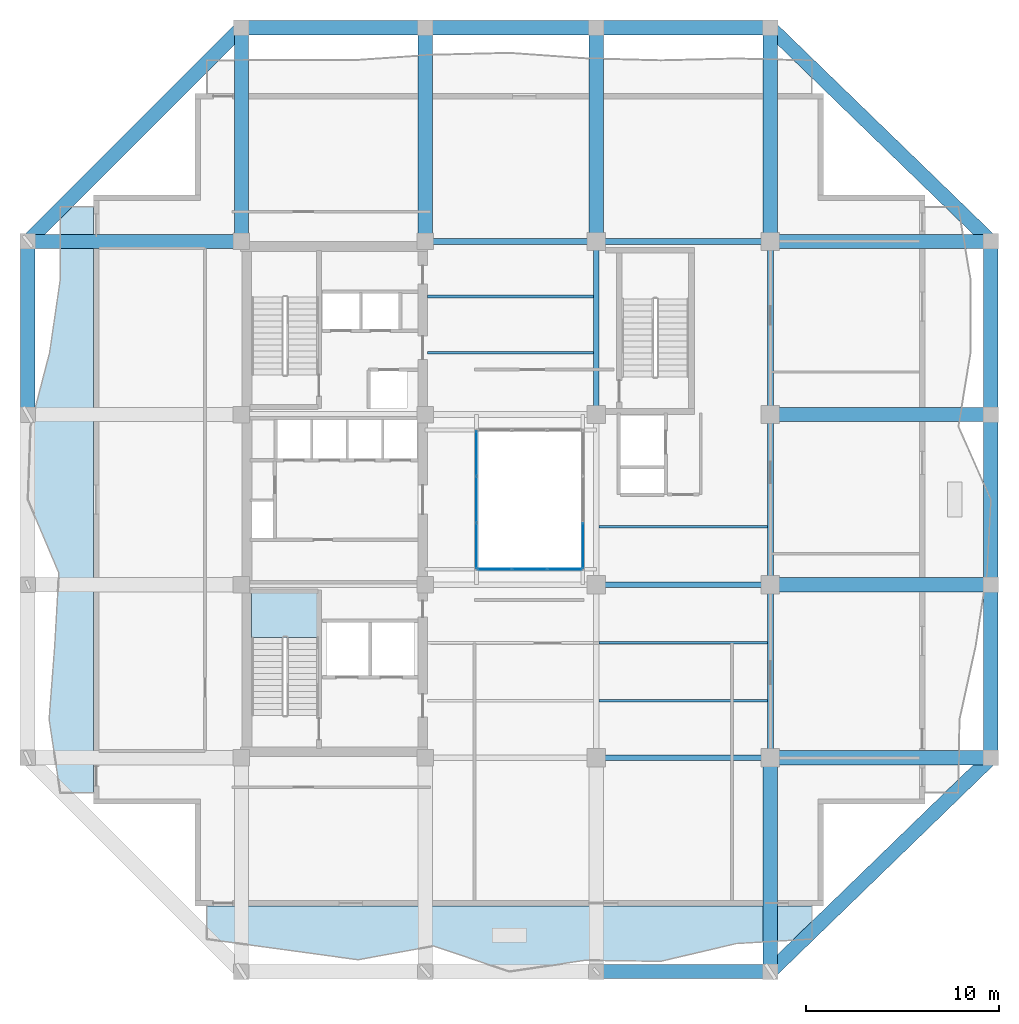
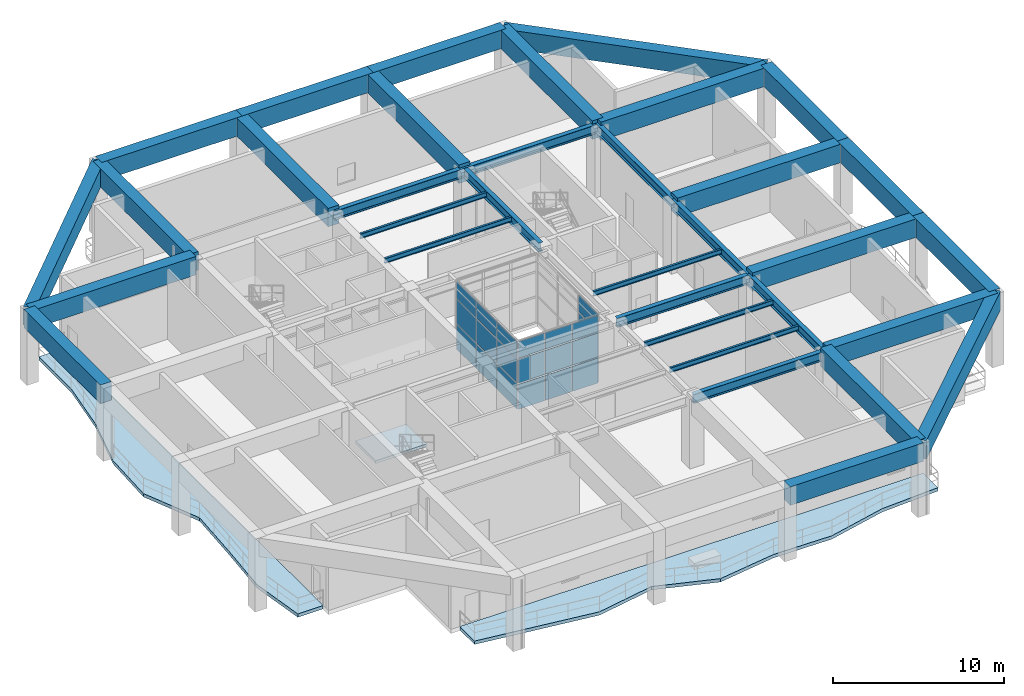
# One storey, part 4 of 13: 34 beams, 21 plates, 3 slabs, 4 elements without a shape of their own.
"""IFC4 building model written with IfcOpenShell, lengths in metres."""

from ifc_helpers import new_model, si_unit, direction, frame, origin, origin_2d, place, context, subcontext, project, spatial, polyline, rectangle, i_section, outline, extrude, material, layer, layer_set, material_profile, profile_set, type_object, element, aggregate, save


model = new_model("IFC4")

# Units and contexts
model_context = context("Model", 3, precision=1e-05, world=origin(), true_north=direction((0.0, 1.0)))
body_context = subcontext(model_context, "Body", "Model", "MODEL_VIEW")
ifc_project = project(units=[si_unit("LENGTHUNIT", "METRE"), si_unit("AREAUNIT", "SQUARE_METRE"), si_unit("VOLUMEUNIT", "CUBIC_METRE"), si_unit("PLANEANGLEUNIT", "RADIAN"), si_unit("MASSUNIT", "GRAM", prefix="KILO")], contexts=[model_context])

# Site, building, storey
site_placement = place(None, origin())
site = spatial("IfcSite", under=ifc_project, at=site_placement, CompositionType="ELEMENT")
building_placement = place(site_placement, origin())
building = spatial("IfcBuilding", under=site, at=building_placement, Name="Kundavana Baori Tower", CompositionType="ELEMENT")
storey_placement = place(building_placement, frame((0.0, 0.0, 208.89990234375)))
storey = spatial("IfcBuildingStorey", under=building, at=storey_placement, Name="L51", CompositionType="ELEMENT", Elevation=208.89990234375)

# Beams
ifc_material_1 = material(Name="Structural Steel S355JR", Category="steel")
ifc_material_profile_1 = material_profile(ifc_material_1, i_section(OverallWidth=0.139892578125, OverallDepth=0.35009765625, WebThickness=0.008056640625, FlangeThickness=0.01416015625, FilletRadius=0.013916015625, at=origin_2d()), Name="ISMB 350")
ifc_profile_set_1 = profile_set([ifc_material_profile_1], Name="Structural Steel S355JR")
beam_type_1 = type_object("IfcBeamType", Name="BM-JST-350", PredefinedType="JOIST", material=ifc_profile_set_1)
for number, where, z_axis, x_axis, name in (
    (1, (25.080078125, 36.199951171875, 4.78515625), (1.0, 0.0, 0.0), (0.0, 1.0, 0.0), "L51 Central Bay Composite Floor Joist C3"),
    (2, (25.080078125, 39.10009765625, 4.78515625), (1.0, 0.0, 0.0), (0.0, 1.0, 0.0), "L51 Central Bay Composite Floor Joist C4"),
):
    element("IfcBeam", number, at=place(storey_placement, frame(where, z_axis=z_axis, x_axis=x_axis)), inside=storey, type_object=beam_type_1, Name=name, PredefinedType="JOIST", context=body_context, shape_type="SweptSolid", body=[
        extrude(i_section(OverallWidth=0.139892578125, OverallDepth=0.35009765625, WebThickness=0.008056640625, FlangeThickness=0.01416015625, FilletRadius=0.013916015625, at=origin_2d()), origin(), (0.0, 0.0, 1.0), 8.56982421875),
    ])
for number, where, z_axis, x_axis, name in (
    (3, (33.949951171875, 18.199951171875, 4.78515625), (1.0, 0.0, 0.0), (0.0, 1.0, 0.0), "L51 East Bay Composite Floor Joist E1"),
    (4, (33.949951171875, 21.199951171875, 4.78515625), (1.0, 0.0, 0.0), (0.0, 1.0, 0.0), "L51 East Bay Composite Floor Joist E2"),
    (5, (33.949951171875, 27.199951171875, 4.78515625), (1.0, 0.0, 0.0), (0.0, 1.0, 0.0), "L51 East Bay Composite Floor Joist E3"),
):
    element("IfcBeam", number, at=place(storey_placement, frame(where, z_axis=z_axis, x_axis=x_axis)), inside=storey, type_object=beam_type_1, Name=name, PredefinedType="JOIST", context=body_context, shape_type="SweptSolid", body=[
        extrude(i_section(OverallWidth=0.139892578125, OverallDepth=0.35009765625, WebThickness=0.008056640625, FlangeThickness=0.01416015625, FilletRadius=0.013916015625, at=origin_2d()), origin(), (0.0, 0.0, 1.0), 8.699951171875),
    ])
ifc_material_2 = material(Name="Structural Steel S355JR", Category="steel")
ifc_material_profile_2 = material_profile(ifc_material_2, i_section(OverallWidth=0.300048828125, OverallDepth=0.64990234375, WebThickness=0.013427734375, FlangeThickness=0.02197265625, FilletRadius=0.02392578125, at=origin_2d()), Name="NPB 650x300x155")
ifc_profile_set_2 = profile_set([ifc_material_profile_2], Name="Structural Steel S355JR")
beam_type_2 = type_object("IfcBeamType", Name="BM-ST-650", PredefinedType="BEAM", material=ifc_profile_set_2)
for number, where, z_axis, x_axis, name in (
    (6, (33.800048828125, 15.25, 4.635009765625), (1.0, 0.0, 0.0), (0.0, 1.0, 0.0), "L51 Primary Grid Girder GX-1-3"),
    (7, (33.800048828125, 24.199951171875, 4.635009765625), (1.0, 0.0, 0.0), (0.0, 1.0, 0.0), "L51 Primary Grid Girder GX-2-3"),
):
    element("IfcBeam", number, at=place(storey_placement, frame(where, z_axis=z_axis, x_axis=x_axis)), inside=storey, type_object=beam_type_2, Name=name, PredefinedType="BEAM", context=body_context, shape_type="SweptSolid", body=[
        extrude(i_section(OverallWidth=0.300048828125, OverallDepth=0.64990234375, WebThickness=0.013427734375, FlangeThickness=0.02197265625, FilletRadius=0.02392578125, at=origin_2d()), origin(), (0.0, 0.0, 1.0), 9.0),
    ])
beam_1_placement = place(storey_placement, frame((24.949951171875, 41.949951171875, 4.635009765625), z_axis=(1.0, 0.0, 0.0), x_axis=(0.0, 1.0, 0.0)))
element("IfcBeam", 8, at=beam_1_placement, inside=storey, type_object=beam_type_2, Name="L51 Primary Grid Girder GX-4-2", PredefinedType="BEAM", context=body_context, shape_type="SweptSolid", body=[
    extrude(i_section(OverallWidth=0.300048828125, OverallDepth=0.64990234375, WebThickness=0.013427734375, FlangeThickness=0.02197265625, FilletRadius=0.02392578125, at=origin_2d()), origin(), (0.0, 0.0, 1.0), 8.85009765625),
])
beam_2_placement = place(storey_placement, frame((33.800048828125, 41.949951171875, 4.635009765625), z_axis=(1.0, 0.0, 0.0), x_axis=(0.0, 1.0, 0.0)))
element("IfcBeam", 9, at=beam_2_placement, inside=storey, type_object=beam_type_2, Name="L51 Primary Grid Girder GX-4-3", PredefinedType="BEAM", context=body_context, shape_type="SweptSolid", body=[
    extrude(i_section(OverallWidth=0.300048828125, OverallDepth=0.64990234375, WebThickness=0.013427734375, FlangeThickness=0.02197265625, FilletRadius=0.02392578125, at=origin_2d()), origin(), (0.0, 0.0, 1.0), 9.0),
])
for number, where, z_axis, x_axis, name in (
    (10, (33.800048828125, 33.0, 4.635009765625), (0.0, 1.0, 0.0), (-1.0, 0.0, 0.0), "L51 Primary Grid Girder GY-3-3"),
    (11, (42.800048828125, 15.25, 4.635009765625), (0.0, 1.0, 0.0), (-1.0, 0.0, 0.0), "L51 Primary Grid Girder GY-4-1"),
):
    element("IfcBeam", number, at=place(storey_placement, frame(where, z_axis=z_axis, x_axis=x_axis)), inside=storey, type_object=beam_type_2, Name=name, PredefinedType="BEAM", context=body_context, shape_type="SweptSolid", body=[
        extrude(i_section(OverallWidth=0.300048828125, OverallDepth=0.64990234375, WebThickness=0.013427734375, FlangeThickness=0.02197265625, FilletRadius=0.02392578125, at=origin_2d()), origin(), (0.0, 0.0, 1.0), 8.949951171875),
    ])
beam_3_placement = place(storey_placement, frame((42.800048828125, 24.199951171875, 4.635009765625), z_axis=(0.0, 1.0, 0.0), x_axis=(-1.0, 0.0, 0.0)))
element("IfcBeam", 12, at=beam_3_placement, inside=storey, type_object=beam_type_2, Name="L51 Primary Grid Girder GY-4-2", PredefinedType="BEAM", context=body_context, shape_type="SweptSolid", body=[
    extrude(i_section(OverallWidth=0.300048828125, OverallDepth=0.64990234375, WebThickness=0.013427734375, FlangeThickness=0.02197265625, FilletRadius=0.02392578125, at=origin_2d()), origin(), (0.0, 0.0, 1.0), 8.800048828125),
])
beam_4_placement = place(storey_placement, frame((42.800048828125, 33.0, 4.635009765625), z_axis=(0.0, 1.0, 0.0), x_axis=(-1.0, 0.0, 0.0)))
element("IfcBeam", 13, at=beam_4_placement, inside=storey, type_object=beam_type_2, Name="L51 Primary Grid Girder GY-4-3", PredefinedType="BEAM", context=body_context, shape_type="SweptSolid", body=[
    extrude(i_section(OverallWidth=0.300048828125, OverallDepth=0.64990234375, WebThickness=0.013427734375, FlangeThickness=0.02197265625, FilletRadius=0.02392578125, at=origin_2d()), origin(), (0.0, 0.0, 1.0), 8.949951171875),
])
ifc_material_3 = material(Name="Concrete C50/60", Category="concrete")
ifc_material_profile_3 = material_profile(ifc_material_3, rectangle(XDim=0.739990234375, YDim=1.320068359375, at=origin_2d()), Name="BM-TG-5")
ifc_profile_set_3 = profile_set([ifc_material_profile_3], Name="Concrete C50/60")
beam_type_3 = type_object("IfcBeamType", Name="BM-TG-5", PredefinedType="USERDEFINED", material=ifc_profile_set_3)
beam_5_placement = place(storey_placement, frame((33.800048828125, 4.199951171875, 4.5400390625), z_axis=(1.0, 0.0, 0.0), x_axis=(0.0, 1.0, 0.0)))
element("IfcBeam", 14, at=beam_5_placement, inside=storey, type_object=beam_type_3, Name="L51 Perimeter Frame Ring Beam S3", ObjectType="TRANSFER GIRDER", PredefinedType="USERDEFINED", context=body_context, shape_type="SweptSolid", body=[
    extrude(rectangle(XDim=0.739990234375, YDim=1.320068359375, at=origin_2d()), origin(), (0.0, 0.0, 1.0), 9.0),
])
beam_6_placement = place(storey_placement, frame((15.449951171875, 53.0, 4.5400390625), z_axis=(1.0, 0.0, 0.0), x_axis=(0.0, 1.0, 0.0)))
element("IfcBeam", 15, at=beam_6_placement, inside=storey, type_object=beam_type_3, Name="L51 Perimeter Frame Ring Beam N1", ObjectType="TRANSFER GIRDER", PredefinedType="USERDEFINED", context=body_context, shape_type="SweptSolid", body=[
    extrude(rectangle(XDim=0.739990234375, YDim=1.320068359375, at=origin_2d()), origin(), (0.0, 0.0, 1.0), 9.5),
])
beam_7_placement = place(storey_placement, frame((24.949951171875, 53.0, 4.5400390625), z_axis=(1.0, 0.0, 0.0), x_axis=(0.0, 1.0, 0.0)))
element("IfcBeam", 16, at=beam_7_placement, inside=storey, type_object=beam_type_3, Name="L51 Perimeter Frame Ring Beam N2", ObjectType="TRANSFER GIRDER", PredefinedType="USERDEFINED", context=body_context, shape_type="SweptSolid", body=[
    extrude(rectangle(XDim=0.739990234375, YDim=1.320068359375, at=origin_2d()), origin(), (0.0, 0.0, 1.0), 8.85009765625),
])
beam_8_placement = place(storey_placement, frame((33.800048828125, 53.0, 4.5400390625), z_axis=(1.0, 0.0, 0.0), x_axis=(0.0, 1.0, 0.0)))
element("IfcBeam", 17, at=beam_8_placement, inside=storey, type_object=beam_type_3, Name="L51 Perimeter Frame Ring Beam N3", ObjectType="TRANSFER GIRDER", PredefinedType="USERDEFINED", context=body_context, shape_type="SweptSolid", body=[
    extrude(rectangle(XDim=0.739990234375, YDim=1.320068359375, at=origin_2d()), origin(), (0.0, 0.0, 1.0), 9.0),
])
for number, where, z_axis, x_axis, name in (
    (18, (4.39990234375, 33.0, 4.5400390625), (0.0, 1.0, 0.0), (-1.0, 0.0, 0.0), "L51 Perimeter Frame Ring Beam W3"),
    (19, (54.199951171875, 15.25, 4.5400390625), (0.0, 1.0, 0.0), (-1.0, 0.0, 0.0), "L51 Perimeter Frame Ring Beam E1"),
):
    element("IfcBeam", number, at=place(storey_placement, frame(where, z_axis=z_axis, x_axis=x_axis)), inside=storey, type_object=beam_type_3, Name=name, ObjectType="TRANSFER GIRDER", PredefinedType="USERDEFINED", context=body_context, shape_type="SweptSolid", body=[
        extrude(rectangle(XDim=0.739990234375, YDim=1.320068359375, at=origin_2d()), origin(), (0.0, 0.0, 1.0), 8.949951171875),
    ])
beam_9_placement = place(storey_placement, frame((54.199951171875, 24.199951171875, 4.5400390625), z_axis=(0.0, 1.0, 0.0), x_axis=(-1.0, 0.0, 0.0)))
element("IfcBeam", 20, at=beam_9_placement, inside=storey, type_object=beam_type_3, Name="L51 Perimeter Frame Ring Beam E2", ObjectType="TRANSFER GIRDER", PredefinedType="USERDEFINED", context=body_context, shape_type="SweptSolid", body=[
    extrude(rectangle(XDim=0.739990234375, YDim=1.320068359375, at=origin_2d()), origin(), (0.0, 0.0, 1.0), 8.800048828125),
])
beam_10_placement = place(storey_placement, frame((54.199951171875, 33.0, 4.5400390625), z_axis=(0.0, 1.0, 0.0), x_axis=(-1.0, 0.0, 0.0)))
element("IfcBeam", 21, at=beam_10_placement, inside=storey, type_object=beam_type_3, Name="L51 Perimeter Frame Ring Beam E3", ObjectType="TRANSFER GIRDER", PredefinedType="USERDEFINED", context=body_context, shape_type="SweptSolid", body=[
    extrude(rectangle(XDim=0.739990234375, YDim=1.320068359375, at=origin_2d()), origin(), (0.0, 0.0, 1.0), 8.949951171875),
])
beam_11_placement = place(storey_placement, frame((42.800048828125, 4.199951171875, 4.5400390625), z_axis=(0.718038944492, 0.696002926857, 0.0), x_axis=(-0.696002926857, 0.718038944492, 0.0)))
element("IfcBeam", 22, at=beam_11_placement, inside=storey, type_object=beam_type_3, Name="L51 Notched Corner Perimeter Beam SE", ObjectType="TRANSFER GIRDER", PredefinedType="USERDEFINED", context=body_context, shape_type="SweptSolid", body=[
    extrude(rectangle(XDim=0.739990234375, YDim=1.320068359375, at=origin_2d()), origin(), (0.0, 0.0, 1.0), 15.87646484375),
])
beam_12_placement = place(storey_placement, frame((15.449951171875, 53.0, 4.5400390625), z_axis=(-0.707106781187, -0.707106781187, 0.0), x_axis=(0.707106781187, -0.707106781187, 0.0)))
element("IfcBeam", 23, at=beam_12_placement, inside=storey, type_object=beam_type_3, Name="L51 Notched Corner Perimeter Beam NW", ObjectType="TRANSFER GIRDER", PredefinedType="USERDEFINED", context=body_context, shape_type="SweptSolid", body=[
    extrude(rectangle(XDim=0.739990234375, YDim=1.320068359375, at=origin_2d()), origin(), (0.0, 0.0, 1.0), 15.627197265625),
])
beam_13_placement = place(storey_placement, frame((42.800048828125, 53.0, 4.5400390625), z_axis=(0.718038944492, -0.696002926857, 0.0), x_axis=(0.696002926857, 0.718038944492, 0.0)))
element("IfcBeam", 24, at=beam_13_placement, inside=storey, type_object=beam_type_3, Name="L51 Notched Corner Perimeter Beam NE", ObjectType="TRANSFER GIRDER", PredefinedType="USERDEFINED", context=body_context, shape_type="SweptSolid", body=[
    extrude(rectangle(XDim=0.739990234375, YDim=1.320068359375, at=origin_2d()), origin(), (0.0, 0.0, 1.0), 15.87646484375),
])
for number, where, z_axis, x_axis, name in (
    (25, (15.449951171875, 41.949951171875, 4.5400390625), (0.0, 1.0, 0.0), (-1.0, 0.0, 0.0), "L51 North Radial Transfer Girder N1"),
    (26, (24.949951171875, 41.949951171875, 4.5400390625), (0.0, 1.0, 0.0), (-1.0, 0.0, 0.0), "L51 North Radial Transfer Girder N2"),
    (27, (33.800048828125, 41.949951171875, 4.5400390625), (0.0, 1.0, 0.0), (-1.0, 0.0, 0.0), "L51 North Radial Transfer Girder N3"),
    (28, (42.800048828125, 15.25, 4.5400390625), (0.0, -1.0, 0.0), (1.0, 0.0, 0.0), "L51 South Radial Transfer Girder S4"),
    (29, (42.800048828125, 41.949951171875, 4.5400390625), (0.0, 1.0, 0.0), (-1.0, 0.0, 0.0), "L51 North Radial Transfer Girder N4"),
):
    element("IfcBeam", number, at=place(storey_placement, frame(where, z_axis=z_axis, x_axis=x_axis)), inside=storey, type_object=beam_type_3, Name=name, ObjectType="TRANSFER GIRDER", PredefinedType="USERDEFINED", context=body_context, shape_type="SweptSolid", body=[
        extrude(rectangle(XDim=0.739990234375, YDim=1.320068359375, at=origin_2d()), origin(), (0.0, 0.0, 1.0), 11.050048828125),
    ])
for number, where, z_axis, x_axis, name in (
    (30, (42.800048828125, 15.25, 4.5400390625), (1.0, 0.0, 0.0), (0.0, 1.0, 0.0), "L51 East Radial Transfer Girder E1"),
    (31, (42.800048828125, 24.199951171875, 4.5400390625), (1.0, 0.0, 0.0), (0.0, 1.0, 0.0), "L51 East Radial Transfer Girder E2"),
    (32, (42.800048828125, 33.0, 4.5400390625), (1.0, 0.0, 0.0), (0.0, 1.0, 0.0), "L51 East Radial Transfer Girder E3"),
):
    element("IfcBeam", number, at=place(storey_placement, frame(where, z_axis=z_axis, x_axis=x_axis)), inside=storey, type_object=beam_type_3, Name=name, ObjectType="TRANSFER GIRDER", PredefinedType="USERDEFINED", context=body_context, shape_type="SweptSolid", body=[
        extrude(rectangle(XDim=0.739990234375, YDim=1.320068359375, at=origin_2d()), origin(), (0.0, 0.0, 1.0), 11.39990234375),
    ])
beam_14_placement = place(storey_placement, frame((15.449951171875, 41.949951171875, 4.5400390625), z_axis=(-1.0, 0.0, 0.0), x_axis=(0.0, -1.0, 0.0)))
element("IfcBeam", 33, at=beam_14_placement, inside=storey, type_object=beam_type_3, Name="L51 West Radial Transfer Girder W4", ObjectType="TRANSFER GIRDER", PredefinedType="USERDEFINED", context=body_context, shape_type="SweptSolid", body=[
    extrude(rectangle(XDim=0.739990234375, YDim=1.320068359375, at=origin_2d()), origin(), (0.0, 0.0, 1.0), 11.050048828125),
])
beam_15_placement = place(storey_placement, frame((42.800048828125, 41.949951171875, 4.5400390625), z_axis=(1.0, 0.0, 0.0), x_axis=(0.0, 1.0, 0.0)))
element("IfcBeam", 34, at=beam_15_placement, inside=storey, type_object=beam_type_3, Name="L51 East Radial Transfer Girder E4", ObjectType="TRANSFER GIRDER", PredefinedType="USERDEFINED", context=body_context, shape_type="SweptSolid", body=[
    extrude(rectangle(XDim=0.739990234375, YDim=1.320068359375, at=origin_2d()), origin(), (0.0, 0.0, 1.0), 11.39990234375),
])

# Curtain wall, plates
ifc_material_4 = material(Name="Thermally Broken Anodised Aluminium Framing", Category="aluminium")
ifc_layer_1 = layer(ifc_material_4, 0.219970703125, Name="CW-SYS-5")
ifc_layer_set_1 = layer_set([ifc_layer_1], Name="Thermally Broken Anodised Aluminium Framing")
curtain_wall_type = type_object("IfcCurtainWallType", Name="CW-SYS-5", PredefinedType="NOTDEFINED", material=ifc_layer_set_1)
curtain_wall_1_placement = place(storey_placement, origin())
curtain_wall_1 = element("IfcCurtainWall", 35, at=curtain_wall_1_placement, inside=storey, type_object=curtain_wall_type, Name="L51 Atrium Glazed Curtain Wall S", PredefinedType="NOTDEFINED")
ifc_material_5 = material(Name="Double-Glazed Solar-Control Low-E Insulated Glass", Category="glass")
ifc_layer_2 = layer(ifc_material_5, 0.028076171875, Name="CW-PNL-GLS28")
ifc_layer_set_2 = layer_set([ifc_layer_2], Name="Double-Glazed Solar-Control Low-E Insulated Glass")
plate_type = type_object("IfcPlateType", Name="CW-PNL-GLS28", PredefinedType="CURTAIN_PANEL", material=ifc_layer_set_2)
plate_1_placement = place(storey_placement, frame((28.532958984375, 25.0, 0.06494140625), z_axis=(0.0, 0.0, 1.0), x_axis=(1.0, 0.0, 0.0)))
plate_1 = element("IfcPlate", 36, at=plate_1_placement, type_object=plate_type, Name="CW5 panel 1.1", PredefinedType="CURTAIN_PANEL", context=body_context, shape_type="SweptSolid", body=[
    extrude(rectangle(XDim=1.73583984375, YDim=0.028076171875, at=origin_2d()), origin(), (0.0, 0.0, 1.0), 1.787353515625),
])
plate_2_placement = place(storey_placement, frame((28.532958984375, 25.0, 1.917236328125), z_axis=(0.0, 0.0, 1.0), x_axis=(1.0, 0.0, 0.0)))
plate_2 = element("IfcPlate", 37, at=plate_2_placement, type_object=plate_type, Name="CW5 panel 1.2", PredefinedType="CURTAIN_PANEL", context=body_context, shape_type="SweptSolid", body=[
    extrude(rectangle(XDim=1.73583984375, YDim=0.028076171875, at=origin_2d()), origin(), (0.0, 0.0, 1.0), 1.720703125),
])
plate_3_placement = place(storey_placement, frame((28.532958984375, 25.0, 3.703125), z_axis=(0.0, 0.0, 1.0), x_axis=(1.0, 0.0, 0.0)))
plate_3 = element("IfcPlate", 38, at=plate_3_placement, type_object=plate_type, Name="CW5 panel 1.3", PredefinedType="CURTAIN_PANEL", context=body_context, shape_type="SweptSolid", body=[
    extrude(rectangle(XDim=1.73583984375, YDim=0.028076171875, at=origin_2d()), origin(), (0.0, 0.0, 1.0), 1.192138671875),
])
plate_4_placement = place(storey_placement, frame((30.35009765625, 25.0, 0.06494140625), z_axis=(0.0, 0.0, 1.0), x_axis=(1.0, 0.0, 0.0)))
plate_4 = element("IfcPlate", 39, at=plate_4_placement, type_object=plate_type, Name="CW5 panel 2.1", PredefinedType="CURTAIN_PANEL", context=body_context, shape_type="SweptSolid", body=[
    extrude(rectangle(XDim=1.768310546875, YDim=0.028076171875, at=origin_2d()), origin(), (0.0, 0.0, 1.0), 1.787353515625),
])
plate_5_placement = place(storey_placement, frame((30.35009765625, 25.0, 1.917236328125), z_axis=(0.0, 0.0, 1.0), x_axis=(1.0, 0.0, 0.0)))
plate_5 = element("IfcPlate", 40, at=plate_5_placement, type_object=plate_type, Name="CW5 panel 2.2", PredefinedType="CURTAIN_PANEL", context=body_context, shape_type="SweptSolid", body=[
    extrude(rectangle(XDim=1.768310546875, YDim=0.028076171875, at=origin_2d()), origin(), (0.0, 0.0, 1.0), 1.720703125),
])
plate_6_placement = place(storey_placement, frame((30.35009765625, 25.0, 3.703125), z_axis=(0.0, 0.0, 1.0), x_axis=(1.0, 0.0, 0.0)))
plate_6 = element("IfcPlate", 41, at=plate_6_placement, type_object=plate_type, Name="CW5 panel 2.3", PredefinedType="CURTAIN_PANEL", context=body_context, shape_type="SweptSolid", body=[
    extrude(rectangle(XDim=1.768310546875, YDim=0.028076171875, at=origin_2d()), origin(), (0.0, 0.0, 1.0), 1.192138671875),
])
plate_7_placement = place(storey_placement, frame((32.1669921875, 25.0, 0.06494140625), z_axis=(0.0, 0.0, 1.0), x_axis=(1.0, 0.0, 0.0)))
plate_7 = element("IfcPlate", 42, at=plate_7_placement, type_object=plate_type, Name="CW5 panel 3.1", PredefinedType="CURTAIN_PANEL", context=body_context, shape_type="SweptSolid", body=[
    extrude(rectangle(XDim=1.73583984375, YDim=0.028076171875, at=origin_2d()), origin(), (0.0, 0.0, 1.0), 1.787353515625),
])
plate_8_placement = place(storey_placement, frame((32.1669921875, 25.0, 1.917236328125), z_axis=(0.0, 0.0, 1.0), x_axis=(1.0, 0.0, 0.0)))
plate_8 = element("IfcPlate", 43, at=plate_8_placement, type_object=plate_type, Name="CW5 panel 3.2", PredefinedType="CURTAIN_PANEL", context=body_context, shape_type="SweptSolid", body=[
    extrude(rectangle(XDim=1.73583984375, YDim=0.028076171875, at=origin_2d()), origin(), (0.0, 0.0, 1.0), 1.720703125),
])
plate_9_placement = place(storey_placement, frame((32.1669921875, 25.0, 3.703125), z_axis=(0.0, 0.0, 1.0), x_axis=(1.0, 0.0, 0.0)))
plate_9 = element("IfcPlate", 44, at=plate_9_placement, type_object=plate_type, Name="CW5 panel 3.3", PredefinedType="CURTAIN_PANEL", context=body_context, shape_type="SweptSolid", body=[
    extrude(rectangle(XDim=1.73583984375, YDim=0.028076171875, at=origin_2d()), origin(), (0.0, 0.0, 1.0), 1.192138671875),
])
aggregate(curtain_wall_1, [plate_1, plate_2, plate_3, plate_4, plate_5, plate_6, plate_7, plate_8, plate_9])

curtain_wall_2_placement = place(storey_placement, origin())
curtain_wall_2 = element("IfcCurtainWall", 45, at=curtain_wall_2_placement, inside=storey, type_object=curtain_wall_type, Name="L51 Atrium Glazed Curtain Wall E", PredefinedType="NOTDEFINED")
plate_10_placement = place(storey_placement, frame((33.10009765625, 26.21630859375, 0.06494140625), z_axis=(0.0, 0.0, 1.0), x_axis=(0.0, 1.0, 0.0)))
plate_10 = element("IfcPlate", 46, at=plate_10_placement, type_object=plate_type, Name="CW5 panel 1.1", PredefinedType="CURTAIN_PANEL", context=body_context, shape_type="SweptSolid", body=[
    extrude(rectangle(XDim=2.302490234375, YDim=0.028076171875, at=origin_2d()), origin(), (0.0, 0.0, 1.0), 1.787353515625),
])
plate_11_placement = place(storey_placement, frame((33.10009765625, 26.21630859375, 1.917236328125), z_axis=(0.0, 0.0, 1.0), x_axis=(0.0, 1.0, 0.0)))
plate_11 = element("IfcPlate", 47, at=plate_11_placement, type_object=plate_type, Name="CW5 panel 1.2", PredefinedType="CURTAIN_PANEL", context=body_context, shape_type="SweptSolid", body=[
    extrude(rectangle(XDim=2.302490234375, YDim=0.028076171875, at=origin_2d()), origin(), (0.0, 0.0, 1.0), 1.720703125),
])
plate_12_placement = place(storey_placement, frame((33.10009765625, 26.21630859375, 3.703125), z_axis=(0.0, 0.0, 1.0), x_axis=(0.0, 1.0, 0.0)))
plate_12 = element("IfcPlate", 48, at=plate_12_placement, type_object=plate_type, Name="CW5 panel 1.3", PredefinedType="CURTAIN_PANEL", context=body_context, shape_type="SweptSolid", body=[
    extrude(rectangle(XDim=2.302490234375, YDim=0.028076171875, at=origin_2d()), origin(), (0.0, 0.0, 1.0), 1.192138671875),
])
aggregate(curtain_wall_2, [plate_10, plate_11, plate_12])

curtain_wall_3_placement = place(storey_placement, origin())
curtain_wall_3 = element("IfcCurtainWall", 49, at=curtain_wall_3_placement, inside=storey, type_object=curtain_wall_type, Name="L51 Atrium Glazed Curtain Wall W", PredefinedType="NOTDEFINED")
plate_13_placement = place(storey_placement, frame((27.60009765625, 30.983642578125, 0.06494140625), z_axis=(0.0, 0.0, 1.0), x_axis=(0.0, -1.0, 0.0)))
plate_13 = element("IfcPlate", 50, at=plate_13_placement, type_object=plate_type, Name="CW5 panel 1.1", PredefinedType="CURTAIN_PANEL", context=body_context, shape_type="SweptSolid", body=[
    extrude(rectangle(XDim=2.302490234375, YDim=0.028076171875, at=origin_2d()), origin(), (0.0, 0.0, 1.0), 1.787353515625),
])
plate_14_placement = place(storey_placement, frame((27.60009765625, 30.983642578125, 1.917236328125), z_axis=(0.0, 0.0, 1.0), x_axis=(0.0, -1.0, 0.0)))
plate_14 = element("IfcPlate", 51, at=plate_14_placement, type_object=plate_type, Name="CW5 panel 1.2", PredefinedType="CURTAIN_PANEL", context=body_context, shape_type="SweptSolid", body=[
    extrude(rectangle(XDim=2.302490234375, YDim=0.028076171875, at=origin_2d()), origin(), (0.0, 0.0, 1.0), 1.720703125),
])
plate_15_placement = place(storey_placement, frame((27.60009765625, 30.983642578125, 3.703125), z_axis=(0.0, 0.0, 1.0), x_axis=(0.0, -1.0, 0.0)))
plate_15 = element("IfcPlate", 52, at=plate_15_placement, type_object=plate_type, Name="CW5 panel 1.3", PredefinedType="CURTAIN_PANEL", context=body_context, shape_type="SweptSolid", body=[
    extrude(rectangle(XDim=2.302490234375, YDim=0.028076171875, at=origin_2d()), origin(), (0.0, 0.0, 1.0), 1.192138671875),
])
plate_16_placement = place(storey_placement, frame((27.60009765625, 28.60009765625, 0.06494140625), z_axis=(0.0, 0.0, 1.0), x_axis=(0.0, -1.0, 0.0)))
plate_16 = element("IfcPlate", 53, at=plate_16_placement, type_object=plate_type, Name="CW5 panel 2.1", PredefinedType="CURTAIN_PANEL", context=body_context, shape_type="SweptSolid", body=[
    extrude(rectangle(XDim=2.3349609375, YDim=0.028076171875, at=origin_2d()), origin(), (0.0, 0.0, 1.0), 1.787353515625),
])
plate_17_placement = place(storey_placement, frame((27.60009765625, 28.60009765625, 1.917236328125), z_axis=(0.0, 0.0, 1.0), x_axis=(0.0, -1.0, 0.0)))
plate_17 = element("IfcPlate", 54, at=plate_17_placement, type_object=plate_type, Name="CW5 panel 2.2", PredefinedType="CURTAIN_PANEL", context=body_context, shape_type="SweptSolid", body=[
    extrude(rectangle(XDim=2.3349609375, YDim=0.028076171875, at=origin_2d()), origin(), (0.0, 0.0, 1.0), 1.720703125),
])
plate_18_placement = place(storey_placement, frame((27.60009765625, 28.60009765625, 3.703125), z_axis=(0.0, 0.0, 1.0), x_axis=(0.0, -1.0, 0.0)))
plate_18 = element("IfcPlate", 55, at=plate_18_placement, type_object=plate_type, Name="CW5 panel 2.3", PredefinedType="CURTAIN_PANEL", context=body_context, shape_type="SweptSolid", body=[
    extrude(rectangle(XDim=2.3349609375, YDim=0.028076171875, at=origin_2d()), origin(), (0.0, 0.0, 1.0), 1.192138671875),
])
plate_19_placement = place(storey_placement, frame((27.60009765625, 26.21630859375, 0.06494140625), z_axis=(0.0, 0.0, 1.0), x_axis=(0.0, -1.0, 0.0)))
plate_19 = element("IfcPlate", 56, at=plate_19_placement, type_object=plate_type, Name="CW5 panel 3.1", PredefinedType="CURTAIN_PANEL", context=body_context, shape_type="SweptSolid", body=[
    extrude(rectangle(XDim=2.302490234375, YDim=0.028076171875, at=origin_2d()), origin(), (0.0, 0.0, 1.0), 1.787353515625),
])
plate_20_placement = place(storey_placement, frame((27.60009765625, 26.21630859375, 1.917236328125), z_axis=(0.0, 0.0, 1.0), x_axis=(0.0, -1.0, 0.0)))
plate_20 = element("IfcPlate", 57, at=plate_20_placement, type_object=plate_type, Name="CW5 panel 3.2", PredefinedType="CURTAIN_PANEL", context=body_context, shape_type="SweptSolid", body=[
    extrude(rectangle(XDim=2.302490234375, YDim=0.028076171875, at=origin_2d()), origin(), (0.0, 0.0, 1.0), 1.720703125),
])
plate_21_placement = place(storey_placement, frame((27.60009765625, 26.21630859375, 3.703125), z_axis=(0.0, 0.0, 1.0), x_axis=(0.0, -1.0, 0.0)))
plate_21 = element("IfcPlate", 58, at=plate_21_placement, type_object=plate_type, Name="CW5 panel 3.3", PredefinedType="CURTAIN_PANEL", context=body_context, shape_type="SweptSolid", body=[
    extrude(rectangle(XDim=2.302490234375, YDim=0.028076171875, at=origin_2d()), origin(), (0.0, 0.0, 1.0), 1.192138671875),
])
aggregate(curtain_wall_3, [plate_13, plate_14, plate_15, plate_16, plate_17, plate_18, plate_19, plate_20, plate_21])

# Stair, slab
ifc_material_6 = material(Name="Concrete C40/50", Category="concrete")
stair_type = type_object("IfcStairType", Name="STR-DOG-1650", PredefinedType="HALF_TURN_STAIR", material=ifc_material_6)
stair_placement = place(storey_placement, origin())
stair = element("IfcStair", 59, at=stair_placement, inside=storey, type_object=stair_type, Name="L51 Protected Exit Stair ST1", PredefinedType="HALF_TURN_STAIR")
ifc_material_7 = material(Name="Concrete C40/50", Category="concrete")
ifc_layer_3 = layer(ifc_material_7, 0.199951171875, Name="SLB-LND-200")
ifc_layer_set_3 = layer_set([ifc_layer_3], Name="Concrete C40/50")
slab_type_1 = type_object("IfcSlabType", Name="SLB-LND-200", PredefinedType="LANDING", material=ifc_layer_set_3)
slab_1_placement = place(storey_placement, frame((0.0, 0.0, 2.400146484375)))
slab_1 = element("IfcSlab", 60, at=slab_1_placement, type_object=slab_type_1, Name="ST1 landing 1", PredefinedType="LANDING", context=body_context, shape_type="SweptSolid", body=[
    extrude(outline(polyline([(19.43994140625, 21.47998046875), (19.43994140625, 23.85009765625), (15.97998046875, 23.85009765625), (15.97998046875, 21.47998046875), (19.43994140625, 21.47998046875)])), origin(), (0.0, 0.0, 1.0), 0.199951171875),
])
aggregate(stair, [slab_1])

# Slabs
ifc_material_8 = material(Name="Concrete C40/50", Category="concrete")
ifc_layer_4 = layer(ifc_material_8, 0.239990234375, Name="SLB-LOG-240")
ifc_layer_set_4 = layer_set([ifc_layer_4], Name="Concrete C40/50")
slab_type_2 = type_object("IfcSlabType", Name="SLB-LOG-240", PredefinedType="FLOOR", material=ifc_layer_set_4)
slab_2_placement = place(storey_placement, frame((0.0, 0.0, -0.239990234375)))
element("IfcSlab", 61, at=slab_2_placement, inside=storey, type_object=slab_type_2, Name="L51 Planted Loggia Balcony Slab S", PredefinedType="FLOOR", context=body_context, shape_type="SweptSolid", body=[
    extrude(outline(polyline([(13.64990234375, 7.60009765625), (44.949951171875, 7.60009765625), (44.949951171875, 5.8798828125), (41.0380859375, 5.64794921875), (37.125, 4.72900390625), (33.212890625, 4.782958984375), (29.300048828125, 4.199951171875), (25.387939453125, 5.52294921875), (21.47509765625, 4.81005859375), (17.56201171875, 5.347900390625), (13.64990234375, 5.8798828125), (13.64990234375, 7.60009765625)])), origin(), (0.0, 0.0, 1.0), 0.239990234375),
])
slab_3_placement = place(storey_placement, frame((0.0, 0.0, -0.239990234375)))
element("IfcSlab", 62, at=slab_3_placement, inside=storey, type_object=slab_type_2, Name="L51 Planted Loggia Balcony Slab W", PredefinedType="FLOOR", context=body_context, shape_type="SweptSolid", body=[
    extrude(outline(polyline([(7.800048828125, 43.75), (7.800048828125, 13.449951171875), (6.080078125, 13.449951171875), (5.506103515625, 17.238037109375), (5.7939453125, 21.02490234375), (6.010986328125, 24.81201171875), (4.39990234375, 28.60009765625), (4.541015625, 32.387939453125), (5.52587890625, 36.175048828125), (6.080078125, 39.9619140625), (6.080078125, 43.75), (7.800048828125, 43.75)])), origin(), (0.0, 0.0, 1.0), 0.239990234375),
])

save(model, "model.ifc")
